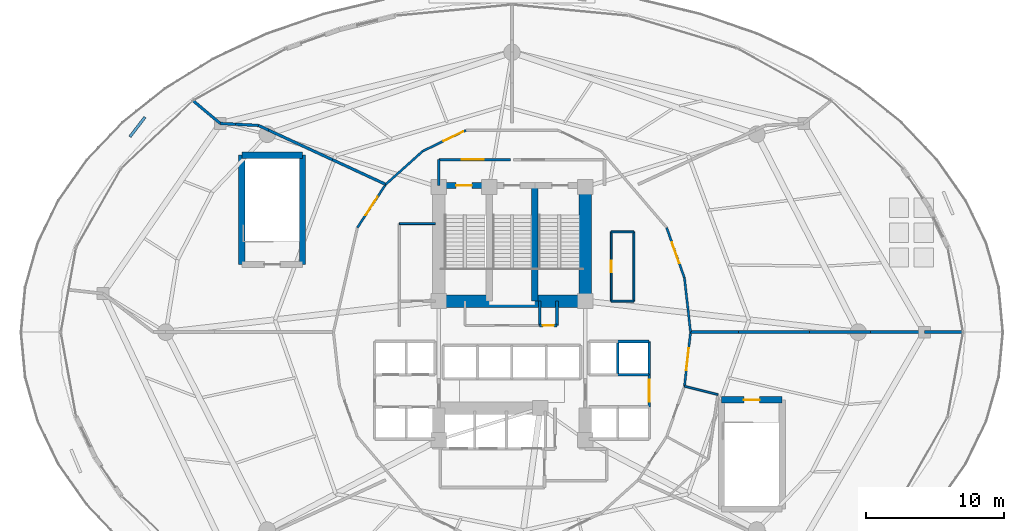
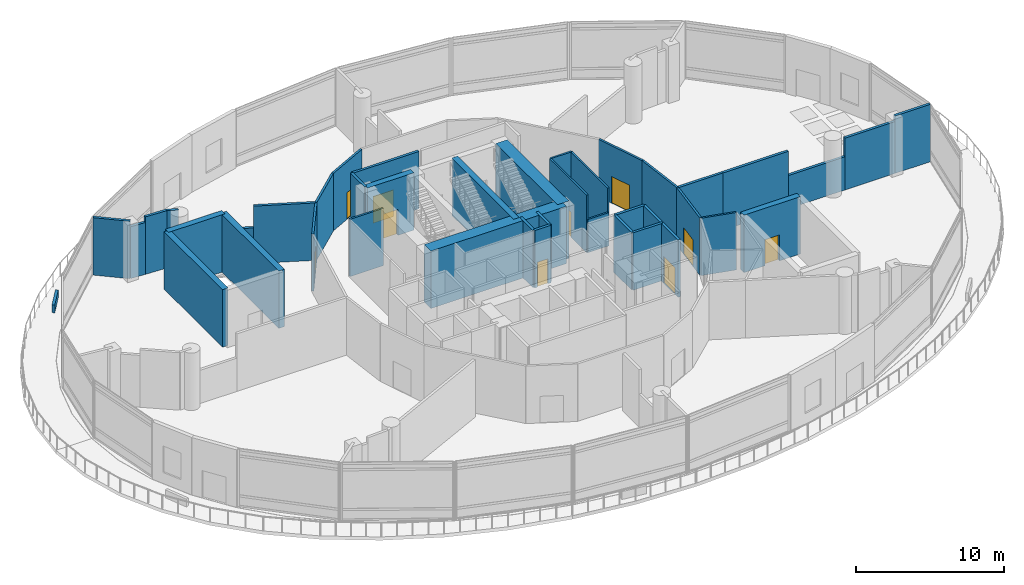
# One storey, part 28 of 34: 42 walls, 10 doors, 10 openings.
"""IFC4 building model written with IfcOpenShell, lengths in metres."""

from ifc_helpers import new_model, si_unit, direction, frame, frame_2d, origin, place, context, subcontext, project, spatial, rectangle, extrude, material, layer, layer_set, type_object, element, fill, save


model = new_model("IFC4")

# Units and contexts
model_context = context("Model", 3, precision=1e-05, world=origin(), true_north=direction((0.0, 1.0)))
body_context = subcontext(model_context, "Body", "Model", "MODEL_VIEW")
ifc_project = project(units=[si_unit("LENGTHUNIT", "METRE"), si_unit("AREAUNIT", "SQUARE_METRE"), si_unit("VOLUMEUNIT", "CUBIC_METRE"), si_unit("PLANEANGLEUNIT", "RADIAN"), si_unit("MASSUNIT", "GRAM", prefix="KILO")], contexts=[model_context])

# Site, building, storey
site_placement = place(None, origin())
site = spatial("IfcSite", under=ifc_project, at=site_placement, CompositionType="ELEMENT")
building_placement = place(site_placement, origin())
building = spatial("IfcBuilding", under=site, at=building_placement, Name="Nuhasar Tower", CompositionType="ELEMENT")
storey_placement = place(building_placement, frame((0.0, 0.0, 16.0)))
storey = spatial("IfcBuildingStorey", under=building, at=storey_placement, Name="L03", CompositionType="ELEMENT", Elevation=16.0)

# Wall, opening, door
ifc_material_1 = material(Name="Concrete C50/60", Category="concrete")
ifc_layer_1 = layer(ifc_material_1, 0.449951171875)
ifc_layer_set_1 = layer_set([ifc_layer_1], Name="Concrete C50/60")
wall_type_1 = type_object("IfcWallType", Name="WL-CORE-450", PredefinedType="SHEAR", material=ifc_layer_set_1)
wall_1_placement = place(storey_placement, frame((37.35009765625, 37.39990234375, 0.0), z_axis=(0.0, 0.0, 1.0), x_axis=(-1.0, 0.0, 0.0)))
wall_1 = element("IfcWall", 1, at=wall_1_placement, inside=storey, type_object=wall_type_1, Name="L03 Stairwell Shear Wall ST01-N", PredefinedType="SHEAR", context=body_context, shape_type="SweptSolid", body=[
    extrude(rectangle(XDim=3.650146484375, YDim=0.449951171875, at=frame_2d((1.8251953125, 0.0))), origin(), (0.0, 0.0, 1.0), 4.739990234375),
])
opening_1_placement = place(wall_1_placement, frame((1.25, 0.0, 0.0)))
opening_1 = element("IfcOpeningElement", 2, at=opening_1_placement, cuts=wall_1, Name="Opening DS-01", PredefinedType="OPENING", context=body_context, shape_type="SweptSolid", body=[
    extrude(rectangle(XDim=1.14990234375, YDim=2.14990234375, at=frame_2d((0.574951171875, 1.074951171875))), frame((0.0, 0.23486328125, 0.0), z_axis=(0.0, -1.0, 0.0), x_axis=(1.0, 0.0, 0.0)), (0.0, 0.0, 1.0), 0.469970703125),
])
ifc_material_2 = material(Name="Steel S355", Category="steel")
door_type_1 = type_object("IfcDoorType", Name="DR-STAIR-FD120-1150", OperationType="NOTDEFINED", PredefinedType="DOOR", material=ifc_material_2)
door_1_placement = place(opening_1_placement, origin())
door_1 = element("IfcDoor", 3, at=door_1_placement, inside=storey, type_object=door_type_1, Name="L03 Exit Stair ST-01 Door", OperationType="SINGLE_SWING_RIGHT", OverallHeight=2.14990234375, OverallWidth=1.14990234375, PredefinedType="DOOR", context=body_context, shape_type="SweptSolid", body=[
    extrude(rectangle(XDim=1.14990234375, YDim=2.14990234375, at=frame_2d((0.574951171875, 1.074951171875))), frame((0.0, 0.02490234375, 0.0), z_axis=(0.0, -1.0, 0.0), x_axis=(1.0, 0.0, 0.0)), (0.0, 0.0, 1.0), 0.050048828125),
])
fill(opening_1, door_1)

# Walls
wall_2_placement = place(storey_placement, frame((40.64990234375, 29.050048828125, 0.0), z_axis=(0.0, 0.0, 1.0), x_axis=(0.0, 1.0, 0.0)))
element("IfcWall", 4, at=wall_2_placement, inside=storey, type_object=wall_type_1, Name="L03 Stairwell Shear Wall ST03-E", PredefinedType="SHEAR", context=body_context, shape_type="SweptSolid", body=[
    extrude(rectangle(XDim=8.349853515625, YDim=0.449951171875, at=frame_2d((4.1748046875, 0.0))), origin(), (0.0, 0.0, 1.0), 4.739990234375),
])
wall_3_placement = place(storey_placement, frame((19.449951171875, 39.60009765625, 0.0), z_axis=(0.0, 0.0, 1.0), x_axis=(1.0, 0.0, 0.0)))
element("IfcWall", 5, at=wall_3_placement, inside=storey, type_object=wall_type_1, Name="L03 Stairwell Shear Wall ST-04-N", PredefinedType="SHEAR", context=body_context, shape_type="SweptSolid", body=[
    extrude(rectangle(XDim=4.400146484375, YDim=0.449951171875, at=frame_2d((2.2001953125, 0.0))), origin(), (0.0, 0.0, 1.0), 4.739990234375),
])
for number, where, z_axis, x_axis, name in (
    (6, (19.449951171875, 31.699951171875, 0.0), (0.0, 0.0, 1.0), (0.0, 1.0, 0.0), "L03 Stairwell Shear Wall ST-04-W"),
    (7, (23.85009765625, 31.699951171875, 0.0), (0.0, 0.0, 1.0), (0.0, 1.0, 0.0), "L03 Stairwell Shear Wall ST-04-E"),
):
    element("IfcWall", number, at=place(storey_placement, frame(where, z_axis=z_axis, x_axis=x_axis)), inside=storey, type_object=wall_type_1, Name=name, PredefinedType="SHEAR", context=body_context, shape_type="SweptSolid", body=[
        extrude(rectangle(XDim=7.900146484375, YDim=0.449951171875, at=frame_2d((3.9501953125, 0.0))), origin(), (0.0, 0.0, 1.0), 4.739990234375),
    ])

# Wall, opening, door
wall_4_placement = place(storey_placement, frame((58.550048828125, 21.89990234375, 0.0), z_axis=(0.0, 0.0, 1.0), x_axis=(-1.0, 0.0, 0.0)))
wall_4 = element("IfcWall", 8, at=wall_4_placement, inside=storey, type_object=wall_type_1, Name="L03 Stairwell Shear Wall ST-05-N", PredefinedType="SHEAR", context=body_context, shape_type="SweptSolid", body=[
    extrude(rectangle(XDim=4.400146484375, YDim=0.449951171875, at=frame_2d((2.2001953125, 0.0))), origin(), (0.0, 0.0, 1.0), 4.739990234375),
])
opening_2_placement = place(wall_4_placement, frame((1.625, 0.0, 0.0)))
opening_2 = element("IfcOpeningElement", 9, at=opening_2_placement, cuts=wall_4, Name="Opening DS-01", PredefinedType="OPENING", context=body_context, shape_type="SweptSolid", body=[
    extrude(rectangle(XDim=1.14990234375, YDim=2.14990234375, at=frame_2d((0.574951171875, 1.074951171875))), frame((0.0, 0.23486328125, 0.0), z_axis=(0.0, -1.0, 0.0), x_axis=(1.0, 0.0, 0.0)), (0.0, 0.0, 1.0), 0.469970703125),
])
door_2_placement = place(opening_2_placement, origin())
door_2 = element("IfcDoor", 10, at=door_2_placement, inside=storey, type_object=door_type_1, Name="L03 Exit Stair ST-05 Door", OperationType="SINGLE_SWING_RIGHT", OverallHeight=2.14990234375, OverallWidth=1.14990234375, PredefinedType="DOOR", context=body_context, shape_type="SweptSolid", body=[
    extrude(rectangle(XDim=1.14990234375, YDim=2.14990234375, at=frame_2d((0.574951171875, 1.074951171875))), frame((0.0, 0.02490234375, 0.0), z_axis=(0.0, -1.0, 0.0), x_axis=(1.0, 0.0, 0.0)), (0.0, 0.0, 1.0), 0.050048828125),
])
fill(opening_2, door_2)

# Walls
ifc_material_3 = material(Name="Concrete C80/95", Category="concrete")
ifc_layer_2 = layer(ifc_material_3, 0.89990234375)
ifc_layer_set_2 = layer_set([ifc_layer_2], Name="Concrete C80/95")
wall_type_2 = type_object("IfcWallType", Name="WL-CORE-900", PredefinedType="SHEAR", material=ifc_layer_set_2)
wall_5_placement = place(storey_placement, frame((44.300048828125, 29.050048828125, 0.0), z_axis=(0.0, 0.0, 1.0), x_axis=(0.0, 1.0, 0.0)))
element("IfcWall", 11, at=wall_5_placement, inside=storey, type_object=wall_type_2, Name="L03 Core Shear Wall CW-NE CW-900", PredefinedType="SHEAR", context=body_context, shape_type="SweptSolid", body=[
    extrude(rectangle(XDim=8.349853515625, YDim=0.89990234375, at=frame_2d((4.1748046875, 0.0))), origin(), (0.0, 0.0, 1.0), 4.739990234375),
])
wall_6_placement = place(storey_placement, frame((33.699951171875, 29.050048828125, 0.0), z_axis=(0.0, 0.0, 1.0), x_axis=(1.0, 0.0, 0.0)))
element("IfcWall", 12, at=wall_6_placement, inside=storey, type_object=wall_type_2, Name="L03 Core Shear Wall CW-N1 CW-900", PredefinedType="SHEAR", context=body_context, shape_type="SweptSolid", body=[
    extrude(rectangle(XDim=10.60009765625, YDim=0.89990234375, at=frame_2d((5.300048828125, 0.0))), origin(), (0.0, 0.0, 1.0), 4.739990234375),
])
ifc_material_4 = material(Name="Gypsum Board", Category="gypsum")
ifc_layer_3 = layer(ifc_material_4, 0.159912109375)
ifc_layer_set_3 = layer_set([ifc_layer_3], Name="Gypsum Board")
wall_type_3 = type_object("IfcWallType", Name="WL-CORR-160", PredefinedType="PARTITIONING", material=ifc_layer_set_3)
wall_7_placement = place(storey_placement, frame((51.919921875, 26.800048828125, 0.0), z_axis=(0.0, 0.0, 1.0), x_axis=(-0.111731247657, 0.993738460711, 0.0)))
element("IfcWall", 13, at=wall_7_placement, inside=storey, type_object=wall_type_3, Name="L03 Interior Partition CORR-00", PredefinedType="PARTITIONING", context=body_context, shape_type="SweptSolid", body=[
    extrude(rectangle(XDim=3.9375, YDim=0.159912109375, at=frame_2d((1.96875, 0.0))), origin(), (0.0, 0.0, 1.0), 4.739990234375),
])

# Wall, opening, door
wall_8_placement = place(storey_placement, frame((50.18896484375, 34.360107421875, 0.0), z_axis=(0.0, 0.0, 1.0), x_axis=(0.333684770033, -0.942684716248, 0.0)))
wall_8 = element("IfcWall", 14, at=wall_8_placement, inside=storey, type_object=wall_type_3, Name="L03 Interior Partition CORR-02", PredefinedType="PARTITIONING", context=body_context, shape_type="SweptSolid", body=[
    extrude(rectangle(XDim=3.868896484375, YDim=0.159912109375, at=frame_2d((1.9345703125, 0.0))), origin(), (0.0, 0.0, 1.0), 4.739990234375),
])
opening_3_placement = place(wall_8_placement, frame((1.134033203125, 0.0, 0.0)))
opening_3 = element("IfcOpeningElement", 15, at=opening_3_placement, cuts=wall_8, Name="Opening DC-01", PredefinedType="OPENING", context=body_context, shape_type="SweptSolid", body=[
    extrude(rectangle(XDim=1.60009765625, YDim=2.199951171875, at=frame_2d((0.800048828125, 1.10009765625))), frame((0.0, 0.08984375, 0.0), z_axis=(0.0, -1.0, 0.0), x_axis=(1.0, 0.0, 0.0)), (0.0, 0.0, 1.0), 0.179931640625),
])
door_type_2 = type_object("IfcDoorType", Name="DR-CORR-FD60-1600", OperationType="DOUBLE_DOOR_SINGLE_SWING", PredefinedType="DOOR", material=ifc_material_2)
door_3_placement = place(opening_3_placement, origin())
door_3 = element("IfcDoor", 16, at=door_3_placement, inside=storey, type_object=door_type_2, Name="L03 Hydrotherapy Spa Hall Door", OperationType="DOUBLE_DOOR_SINGLE_SWING", OverallHeight=2.199951171875, OverallWidth=1.60009765625, PredefinedType="DOOR", context=body_context, shape_type="SweptSolid", body=[
    extrude(rectangle(XDim=1.60009765625, YDim=2.199951171875, at=frame_2d((0.800048828125, 1.10009765625))), frame((0.0, 0.02490234375, 0.0), z_axis=(0.0, -1.0, 0.0), x_axis=(1.0, 0.0, 0.0)), (0.0, 0.0, 1.0), 0.050048828125),
])
fill(opening_3, door_3)

wall_9_placement = place(storey_placement, frame((32.5400390625, 39.89404296875, 0.0), z_axis=(0.0, 0.0, 1.0), x_axis=(0.899789784655, 0.436323668199, 0.0)))
wall_9 = element("IfcWall", 17, at=wall_9_placement, inside=storey, type_object=wall_type_3, Name="L03 Interior Partition CORR-14", PredefinedType="PARTITIONING", context=body_context, shape_type="SweptSolid", body=[
    extrude(rectangle(XDim=3.462890625, YDim=0.159912109375, at=frame_2d((1.7314453125, 0.0))), origin(), (0.0, 0.0, 1.0), 4.739990234375),
])
opening_4_placement = place(wall_9_placement, frame((1.6630859375, 0.0, 0.0)))
opening_4 = element("IfcOpeningElement", 18, at=opening_4_placement, cuts=wall_9, Name="Opening DC-01", PredefinedType="OPENING", context=body_context, shape_type="SweptSolid", body=[
    extrude(rectangle(XDim=1.60009765625, YDim=2.199951171875, at=frame_2d((0.800048828125, 1.10009765625))), frame((0.0, 0.08984375, 0.0), z_axis=(0.0, -1.0, 0.0), x_axis=(1.0, 0.0, 0.0)), (0.0, 0.0, 1.0), 0.179931640625),
])
door_4_placement = place(opening_4_placement, origin())
door_4 = element("IfcDoor", 19, at=door_4_placement, inside=storey, type_object=door_type_2, Name="L03 Athletic Fitness Club Door", OperationType="DOUBLE_DOOR_SINGLE_SWING", OverallHeight=2.199951171875, OverallWidth=1.60009765625, PredefinedType="DOOR", context=body_context, shape_type="SweptSolid", body=[
    extrude(rectangle(XDim=1.60009765625, YDim=2.199951171875, at=frame_2d((0.800048828125, 1.10009765625))), frame((0.0, 0.02490234375, 0.0), z_axis=(0.0, -1.0, 0.0), x_axis=(1.0, 0.0, 0.0)), (0.0, 0.0, 1.0), 0.050048828125),
])
fill(opening_4, door_4)

# Wall
wall_10_placement = place(storey_placement, frame((32.5400390625, 39.89404296875, 0.0), z_axis=(0.0, 0.0, 1.0), x_axis=(-0.744032872127, -0.668143012531, 0.0)))
element("IfcWall", 20, at=wall_10_placement, inside=storey, type_object=wall_type_3, Name="L03 Interior Partition CORR-16", PredefinedType="PARTITIONING", context=body_context, shape_type="SweptSolid", body=[
    extrude(rectangle(XDim=3.5966796875, YDim=0.159912109375, at=frame_2d((1.79833984375, 0.0))), origin(), (0.0, 0.0, 1.0), 4.739990234375),
])

# Wall, opening, door
wall_11_placement = place(storey_placement, frame((27.81103515625, 34.360107421875, 0.0), z_axis=(0.0, 0.0, 1.0), x_axis=(0.548348738977, 0.836249759619, 0.0)))
wall_11 = element("IfcWall", 21, at=wall_11_placement, inside=storey, type_object=wall_type_3, Name="L03 Interior Partition CORR-18", PredefinedType="PARTITIONING", context=body_context, shape_type="SweptSolid", body=[
    extrude(rectangle(XDim=3.743896484375, YDim=0.159912109375, at=frame_2d((1.8720703125, 0.0))), origin(), (0.0, 0.0, 1.0), 4.739990234375),
])
opening_5_placement = place(wall_11_placement, frame((1.072021484375, 0.0, 0.0)))
opening_5 = element("IfcOpeningElement", 22, at=opening_5_placement, cuts=wall_11, Name="Opening DC-01", PredefinedType="OPENING", context=body_context, shape_type="SweptSolid", body=[
    extrude(rectangle(XDim=1.60009765625, YDim=2.199951171875, at=frame_2d((0.800048828125, 1.10009765625))), frame((0.0, 0.08984375, 0.0), z_axis=(0.0, -1.0, 0.0), x_axis=(1.0, 0.0, 0.0)), (0.0, 0.0, 1.0), 0.179931640625),
])
door_5_placement = place(opening_5_placement, origin())
door_5 = element("IfcDoor", 23, at=door_5_placement, inside=storey, type_object=door_type_2, Name="L03 Pilates Studio Door", OperationType="DOUBLE_DOOR_SINGLE_SWING", OverallHeight=2.199951171875, OverallWidth=1.60009765625, PredefinedType="DOOR", context=body_context, shape_type="SweptSolid", body=[
    extrude(rectangle(XDim=1.60009765625, YDim=2.199951171875, at=frame_2d((0.800048828125, 1.10009765625))), frame((0.0, 0.02490234375, 0.0), z_axis=(0.0, -1.0, 0.0), x_axis=(1.0, 0.0, 0.0)), (0.0, 0.0, 1.0), 0.050048828125),
])
fill(opening_5, door_5)

wall_12_placement = place(storey_placement, frame((51.919921875, 26.800048828125, 0.0), z_axis=(0.0, 0.0, 1.0), x_axis=(-0.111724363671, -0.99373923469, 0.0)))
wall_12 = element("IfcWall", 24, at=wall_12_placement, inside=storey, type_object=wall_type_3, Name="L03 Interior Partition CORR-46", PredefinedType="PARTITIONING", context=body_context, shape_type="SweptSolid", body=[
    extrude(rectangle(XDim=3.937744140625, YDim=0.159912109375, at=frame_2d((1.96875, 0.0))), origin(), (0.0, 0.0, 1.0), 4.739990234375),
])
opening_6_placement = place(wall_12_placement, frame((1.1689453125, 0.0, 0.0)))
opening_6 = element("IfcOpeningElement", 25, at=opening_6_placement, cuts=wall_12, Name="Opening DC-01", PredefinedType="OPENING", context=body_context, shape_type="SweptSolid", body=[
    extrude(rectangle(XDim=1.60009765625, YDim=2.199951171875, at=frame_2d((0.800048828125, 1.10009765625))), frame((0.0, 0.08984375, 0.0), z_axis=(0.0, -1.0, 0.0), x_axis=(1.0, 0.0, 0.0)), (0.0, 0.0, 1.0), 0.179931640625),
])
door_6_placement = place(opening_6_placement, origin())
door_6 = element("IfcDoor", 26, at=door_6_placement, inside=storey, type_object=door_type_2, Name="L03 Bustan Garden Lounge Door", OperationType="DOUBLE_DOOR_SINGLE_SWING", OverallHeight=2.199951171875, OverallWidth=1.60009765625, PredefinedType="DOOR", context=body_context, shape_type="SweptSolid", body=[
    extrude(rectangle(XDim=1.60009765625, YDim=2.199951171875, at=frame_2d((0.800048828125, 1.10009765625))), frame((0.0, 0.02490234375, 0.0), z_axis=(0.0, -1.0, 0.0), x_axis=(1.0, 0.0, 0.0)), (0.0, 0.0, 1.0), 0.050048828125),
])
fill(opening_6, door_6)

# Wall
ifc_material_5 = material(Name="Concrete C45/55", Category="concrete")
ifc_layer_4 = layer(ifc_material_5, 0.199951171875)
ifc_layer_set_4 = layer_set([ifc_layer_4], Name="Concrete C45/55")
wall_type_4 = type_object("IfcWallType", Name="WL-LOBBY-200", PredefinedType="SOLIDWALL", material=ifc_layer_set_4)
wall_13_placement = place(storey_placement, frame((33.699951171875, 37.39990234375, 0.0), z_axis=(0.0, 0.0, 1.0), x_axis=(0.0, 1.0, 0.0)))
element("IfcWall", 27, at=wall_13_placement, inside=storey, type_object=wall_type_4, Name="L03 Interior Partition NSL-W", PredefinedType="SOLIDWALL", context=body_context, shape_type="SweptSolid", body=[
    extrude(rectangle(XDim=1.880126953125, YDim=0.199951171875, at=frame_2d((0.93994140625, 0.0))), origin(), (0.0, 0.0, 1.0), 4.739990234375),
])

# Wall, opening, door
wall_14_placement = place(storey_placement, frame((38.89990234375, 39.280029296875, 0.0), z_axis=(0.0, 0.0, 1.0), x_axis=(-1.0, 0.0, 0.0)))
wall_14 = element("IfcWall", 28, at=wall_14_placement, inside=storey, type_object=wall_type_4, Name="L03 Interior Partition NSL-N1", PredefinedType="SOLIDWALL", context=body_context, shape_type="SweptSolid", body=[
    extrude(rectangle(XDim=5.199951171875, YDim=0.199951171875, at=frame_2d((2.60009765625, 0.0))), origin(), (0.0, 0.0, 1.0), 4.739990234375),
])
opening_7_placement = place(wall_14_placement, frame((1.949951171875, 0.0, 0.0)))
opening_7 = element("IfcOpeningElement", 29, at=opening_7_placement, cuts=wall_14, Name="Opening DC-01", PredefinedType="OPENING", context=body_context, shape_type="SweptSolid", body=[
    extrude(rectangle(XDim=1.60009765625, YDim=2.199951171875, at=frame_2d((0.800048828125, 1.10009765625))), frame((0.0, 0.10986328125, 0.0), z_axis=(0.0, -1.0, 0.0), x_axis=(1.0, 0.0, 0.0)), (0.0, 0.0, 1.0), 0.219970703125),
])
door_7_placement = place(opening_7_placement, origin())
door_7 = element("IfcDoor", 30, at=door_7_placement, inside=storey, type_object=door_type_2, Name="L03 North Stair Lobby West Door", OperationType="DOUBLE_DOOR_SINGLE_SWING", OverallHeight=2.199951171875, OverallWidth=1.60009765625, PredefinedType="DOOR", context=body_context, shape_type="SweptSolid", body=[
    extrude(rectangle(XDim=1.60009765625, YDim=2.199951171875, at=frame_2d((0.800048828125, 1.10009765625))), frame((0.0, 0.02490234375, 0.0), z_axis=(0.0, -1.0, 0.0), x_axis=(1.0, 0.0, 0.0)), (0.0, 0.0, 1.0), 0.050048828125),
])
fill(opening_7, door_7)

wall_15_placement = place(storey_placement, frame((48.929931640625, 21.3798828125, 0.0), z_axis=(0.0, 0.0, 1.0), x_axis=(0.0, 1.0, 0.0)))
wall_15 = element("IfcWall", 31, at=wall_15_placement, inside=storey, type_object=wall_type_4, Name="L03 Interior Partition LLBM-E", PredefinedType="SOLIDWALL", context=body_context, shape_type="SweptSolid", body=[
    extrude(rectangle(XDim=2.340087890625, YDim=0.199951171875, at=frame_2d((1.169921875, 0.0))), origin(), (0.0, 0.0, 1.0), 4.739990234375),
])
opening_8_placement = place(wall_15_placement, frame((0.3701171875, 0.0, 0.0)))
opening_8 = element("IfcOpeningElement", 32, at=opening_8_placement, cuts=wall_15, Name="Opening DC-01", PredefinedType="OPENING", context=body_context, shape_type="SweptSolid", body=[
    extrude(rectangle(XDim=1.60009765625, YDim=2.199951171875, at=frame_2d((0.800048828125, 1.10009765625))), frame((0.0, 0.10986328125, 0.0), z_axis=(0.0, -1.0, 0.0), x_axis=(1.0, 0.0, 0.0)), (0.0, 0.0, 1.0), 0.219970703125),
])
door_8_placement = place(opening_8_placement, origin())
door_8 = element("IfcDoor", 33, at=door_8_placement, inside=storey, type_object=door_type_2, Name="L03 Mid-Rise Lift Lobby East Entry", OperationType="DOUBLE_DOOR_SINGLE_SWING", OverallHeight=2.199951171875, OverallWidth=1.60009765625, PredefinedType="DOOR", context=body_context, shape_type="SweptSolid", body=[
    extrude(rectangle(XDim=1.60009765625, YDim=2.199951171875, at=frame_2d((0.800048828125, 1.10009765625))), frame((0.0, 0.02490234375, 0.0), z_axis=(0.0, -1.0, 0.0), x_axis=(1.0, 0.0, 0.0)), (0.0, 0.0, 1.0), 0.050048828125),
])
fill(opening_8, door_8)

# Walls
ifc_layer_5 = layer(ifc_material_5, 0.199951171875)
ifc_layer_set_5 = layer_set([ifc_layer_5], Name="Concrete C45/55")
wall_type_5 = type_object("IfcWallType", Name="WL-PLANTER-200", PredefinedType="ELEMENTEDWALL", material=ifc_layer_set_5)
wall_16_placement = place(storey_placement, frame((11.35107421875, 40.930908203125, 0.0), z_axis=(0.0, 0.0, 1.0), x_axis=(0.608838635348, 0.793294091814, 0.0)))
element("IfcWall", 34, at=wall_16_placement, inside=storey, type_object=wall_type_5, Name="L03 Bustan Garden Planter Curb 03", PredefinedType="ELEMENTEDWALL", context=body_context, shape_type="SweptSolid", body=[
    extrude(rectangle(XDim=1.800048828125, YDim=0.199951171875, at=frame_2d((0.89990234375, 0.0))), origin(), (0.0, 0.0, 1.0), 0.64990234375),
])
ifc_layer_6 = layer(ifc_material_5, 0.199951171875)
ifc_layer_set_6 = layer_set([ifc_layer_6], Name="Concrete C45/55")
wall_type_6 = type_object("IfcWallType", Name="WL-SHAFT-200", PredefinedType="SOLIDWALL", material=ifc_layer_set_6)
for number, where, z_axis, x_axis, name in (
    (35, (41.0, 27.280029296875, 0.0), (0.0, 0.0, 1.0), (0.0, 1.0, 0.0), "L03 Interior Partition RSRN-W"),
    (36, (42.260009765625, 27.280029296875, 0.0), (0.0, 0.0, 1.0), (0.0, 1.0, 0.0), "L03 Interior Partition RSRN-E"),
):
    element("IfcWall", number, at=place(storey_placement, frame(where, z_axis=z_axis, x_axis=x_axis)), inside=storey, type_object=wall_type_6, Name=name, PredefinedType="SOLIDWALL", context=body_context, shape_type="SweptSolid", body=[
        extrude(rectangle(XDim=1.77001953125, YDim=0.199951171875, at=frame_2d((0.885009765625, 0.0))), origin(), (0.0, 0.0, 1.0), 4.739990234375),
    ])

# Wall, opening, door
wall_17_placement = place(storey_placement, frame((41.0, 27.280029296875, 0.0), z_axis=(0.0, 0.0, 1.0), x_axis=(1.0, 0.0, 0.0)))
wall_17 = element("IfcWall", 37, at=wall_17_placement, inside=storey, type_object=wall_type_6, Name="L03 Interior Partition RSRN-S", PredefinedType="SOLIDWALL", context=body_context, shape_type="SweptSolid", body=[
    extrude(rectangle(XDim=1.260009765625, YDim=0.199951171875, at=frame_2d((0.6298828125, 0.0))), origin(), (0.0, 0.0, 1.0), 4.739990234375),
])
opening_9_placement = place(wall_17_placement, frame((0.22998046875, 0.0, 0.0)))
opening_9 = element("IfcOpeningElement", 38, at=opening_9_placement, cuts=wall_17, Name="Opening DM-01", PredefinedType="OPENING", context=body_context, shape_type="SweptSolid", body=[
    extrude(rectangle(XDim=0.800048828125, YDim=2.050048828125, at=frame_2d((0.39990234375, 1.02490234375))), frame((0.0, 0.10986328125, 0.0), z_axis=(0.0, -1.0, 0.0), x_axis=(1.0, 0.0, 0.0)), (0.0, 0.0, 1.0), 0.219970703125),
])
door_type_3 = type_object("IfcDoorType", Name="DR-RISER-FD60-800", OperationType="NOTDEFINED", PredefinedType="DOOR", material=ifc_material_2)
door_9_placement = place(opening_9_placement, origin())
door_9 = element("IfcDoor", 39, at=door_9_placement, inside=storey, type_object=door_type_3, Name="L03 North Smoke Riser Door", OperationType="SINGLE_SWING_RIGHT", OverallHeight=2.050048828125, OverallWidth=0.800048828125, PredefinedType="DOOR", context=body_context, shape_type="SweptSolid", body=[
    extrude(rectangle(XDim=0.800048828125, YDim=2.050048828125, at=frame_2d((0.39990234375, 1.02490234375))), frame((0.0, 0.02490234375, 0.0), z_axis=(0.0, -1.0, 0.0), x_axis=(1.0, 0.0, 0.0)), (0.0, 0.0, 1.0), 0.050048828125),
])
fill(opening_9, door_9)

# Walls
wall_18_placement = place(storey_placement, frame((46.64990234375, 23.719970703125, 0.0), z_axis=(0.0, 0.0, 1.0), x_axis=(0.0, 1.0, 0.0)))
element("IfcWall", 40, at=wall_18_placement, inside=storey, type_object=wall_type_6, Name="L03 Interior Partition SHF-PL-M01-E", PredefinedType="SOLIDWALL", context=body_context, shape_type="SweptSolid", body=[
    extrude(rectangle(XDim=2.409912109375, YDim=0.199951171875, at=frame_2d((1.205078125, 0.0))), origin(), (0.0, 0.0, 1.0), 4.739990234375),
])
for number, where, z_axis, x_axis, name in (
    (41, (46.6201171875, 23.719970703125, 0.0), (0.0, 0.0, 1.0), (1.0, 0.0, 0.0), "L03 Interior Partition SHF-PL-M02-S"),
    (42, (46.6201171875, 26.1298828125, 0.0), (0.0, 0.0, 1.0), (1.0, 0.0, 0.0), "L03 Interior Partition SHF-PL-M02-N"),
):
    element("IfcWall", number, at=place(storey_placement, frame(where, z_axis=z_axis, x_axis=x_axis)), inside=storey, type_object=wall_type_6, Name=name, PredefinedType="SOLIDWALL", context=body_context, shape_type="SweptSolid", body=[
        extrude(rectangle(XDim=2.309814453125, YDim=0.199951171875, at=frame_2d((1.15478515625, 0.0))), origin(), (0.0, 0.0, 1.0), 4.739990234375),
    ])
wall_19_placement = place(storey_placement, frame((48.929931640625, 23.719970703125, 0.0), z_axis=(0.0, 0.0, 1.0), x_axis=(0.0, 1.0, 0.0)))
element("IfcWall", 43, at=wall_19_placement, inside=storey, type_object=wall_type_6, Name="L03 Interior Partition SHF-PL-M02-E", PredefinedType="SOLIDWALL", context=body_context, shape_type="SweptSolid", body=[
    extrude(rectangle(XDim=2.409912109375, YDim=0.199951171875, at=frame_2d((1.205078125, 0.0))), origin(), (0.0, 0.0, 1.0), 4.739990234375),
])
ifc_material_6 = material(Name="Concrete C40/50 precast", Category="concrete")
ifc_layer_7 = layer(ifc_material_6, 0.199951171875)
ifc_layer_set_7 = layer_set([ifc_layer_7], Name="Concrete C40/50 precast")
wall_type_7 = type_object("IfcWallType", Name="WL-UNIT-200", PredefinedType="PARTITIONING", material=ifc_layer_set_7)
wall_20_placement = place(storey_placement, frame((51.919921875, 26.800048828125, 0.0), z_axis=(0.0, 0.0, 1.0), x_axis=(1.0, 0.0, 0.0)))
element("IfcWall", 44, at=wall_20_placement, inside=storey, type_object=wall_type_7, Name="L03 Interior Partition PRAD-00-S1", PredefinedType="PARTITIONING", context=body_context, shape_type="SweptSolid", body=[
    extrude(rectangle(XDim=3.47998046875, YDim=0.199951171875, at=frame_2d((1.739990234375, 0.0))), origin(), (0.0, 0.0, 1.0), 4.739990234375),
])
wall_21_placement = place(storey_placement, frame((55.39990234375, 26.800048828125, 0.0), z_axis=(0.0, 0.0, 1.0), x_axis=(1.0, 0.0, 0.0)))
element("IfcWall", 45, at=wall_21_placement, inside=storey, type_object=wall_type_7, Name="L03 Interior Partition PRAD-00-S2", PredefinedType="PARTITIONING", context=body_context, shape_type="SweptSolid", body=[
    extrude(rectangle(XDim=5.1220703125, YDim=0.199951171875, at=frame_2d((2.56103515625, 0.0))), origin(), (0.0, 0.0, 1.0), 4.739990234375),
])
wall_22_placement = place(storey_placement, frame((60.52197265625, 26.800048828125, 0.0), z_axis=(0.0, 0.0, 1.0), x_axis=(1.0, 0.0, 0.0)))
element("IfcWall", 46, at=wall_22_placement, inside=storey, type_object=wall_type_7, Name="L03 Interior Partition PRAD-00-S2", PredefinedType="PARTITIONING", context=body_context, shape_type="SweptSolid", body=[
    extrude(rectangle(XDim=4.427978515625, YDim=0.199951171875, at=frame_2d((2.2138671875, 0.0))), origin(), (0.0, 0.0, 1.0), 2.739990234375),
])
wall_23_placement = place(storey_placement, frame((64.949951171875, 26.800048828125, 0.0), z_axis=(0.0, 0.0, 1.0), x_axis=(1.0, 0.0, 0.0)))
element("IfcWall", 47, at=wall_23_placement, inside=storey, type_object=wall_type_7, Name="L03 Interior Partition PRAD-00-S3", PredefinedType="PARTITIONING", context=body_context, shape_type="SweptSolid", body=[
    extrude(rectangle(XDim=3.900146484375, YDim=0.199951171875, at=frame_2d((1.9501953125, 0.0))), origin(), (0.0, 0.0, 1.0), 4.280029296875),
])
wall_24_placement = place(storey_placement, frame((68.85009765625, 26.800048828125, 0.0), z_axis=(0.0, 0.0, 1.0), x_axis=(1.0, 0.0, 0.0)))
element("IfcWall", 48, at=wall_24_placement, inside=storey, type_object=wall_type_7, Name="L03 Interior Partition PRAD-00-S4", PredefinedType="PARTITIONING", context=body_context, shape_type="SweptSolid", body=[
    extrude(rectangle(XDim=2.7548828125, YDim=0.199951171875, at=frame_2d((1.37744140625, 0.0))), origin(), (0.0, 0.0, 1.0), 4.739990234375),
])
wall_25_placement = place(storey_placement, frame((29.864013671875, 37.490966796875, 0.0), z_axis=(0.0, 0.0, 1.0), x_axis=(-0.907543218971, 0.419958695231, 0.0)))
element("IfcWall", 49, at=wall_25_placement, inside=storey, type_object=wall_type_7, Name="L03 Interior Partition PRAD-18-S1", PredefinedType="PARTITIONING", context=body_context, shape_type="SweptSolid", body=[
    extrude(rectangle(XDim=4.24560546875, YDim=0.199951171875, at=frame_2d((2.122802734375, 0.0))), origin(), (0.0, 0.0, 1.0), 4.739990234375),
])
wall_26_placement = place(storey_placement, frame((26.010986328125, 39.27392578125, 0.0), z_axis=(0.0, 0.0, 1.0), x_axis=(-0.907468259345, 0.420120647293, 0.0)))
element("IfcWall", 50, at=wall_26_placement, inside=storey, type_object=wall_type_7, Name="L03 Interior Partition PRAD-18-S1", PredefinedType="PARTITIONING", context=body_context, shape_type="SweptSolid", body=[
    extrude(rectangle(XDim=5.0986328125, YDim=0.199951171875, at=frame_2d((2.54931640625, 0.0))), origin(), (0.0, 0.0, 1.0), 2.93994140625),
])
wall_27_placement = place(storey_placement, frame((21.384033203125, 41.416015625, 0.0), z_axis=(0.0, 0.0, 1.0), x_axis=(-0.907729224474, 0.419556498025, 0.0)))
element("IfcWall", 51, at=wall_27_placement, inside=storey, type_object=wall_type_7, Name="L03 Interior Partition PRAD-18-S1", PredefinedType="PARTITIONING", context=body_context, shape_type="SweptSolid", body=[
    extrude(rectangle(XDim=0.8076171875, YDim=0.199951171875, at=frame_2d((0.40380859375, 0.0))), origin(), (0.0, 0.0, 1.0), 4.739990234375),
])
wall_28_placement = place(storey_placement, frame((20.65087890625, 41.7548828125, 0.0), z_axis=(0.0, 0.0, 1.0), x_axis=(-0.998685128887, 0.051264152576, 0.0)))
element("IfcWall", 52, at=wall_28_placement, inside=storey, type_object=wall_type_7, Name="L03 Interior Partition PRAD-18-S2", PredefinedType="PARTITIONING", context=body_context, shape_type="SweptSolid", body=[
    extrude(rectangle(XDim=1.64306640625, YDim=0.199951171875, at=frame_2d((0.821533203125, 0.0))), origin(), (0.0, 0.0, 1.0), 4.739990234375),
])
wall_29_placement = place(storey_placement, frame((19.010009765625, 41.839111328125, 0.0), z_axis=(0.0, 0.0, 1.0), x_axis=(-0.998660904733, 0.051733909163, 0.0)))
element("IfcWall", 53, at=wall_29_placement, inside=storey, type_object=wall_type_7, Name="L03 Interior Partition PRAD-18-S2", PredefinedType="PARTITIONING", context=body_context, shape_type="SweptSolid", body=[
    extrude(rectangle(XDim=1.118408203125, YDim=0.199951171875, at=frame_2d((0.55908203125, 0.0))), origin(), (0.0, 0.0, 1.0), 4.280029296875),
])
wall_30_placement = place(storey_placement, frame((17.89306640625, 41.89697265625, 0.0), z_axis=(0.0, 0.0, 1.0), x_axis=(-0.766903980595, 0.641761859686, 0.0)))
element("IfcWall", 54, at=wall_30_placement, inside=storey, type_object=wall_type_7, Name="L03 Interior Partition PRAD-18-S3", PredefinedType="PARTITIONING", context=body_context, shape_type="SweptSolid", body=[
    extrude(rectangle(XDim=2.5400390625, YDim=0.199951171875, at=frame_2d((1.27001953125, 0.0))), origin(), (0.0, 0.0, 1.0), 4.739990234375),
])
ifc_layer_8 = layer(ifc_material_6, 0.139892578125)
ifc_layer_set_8 = layer_set([ifc_layer_8], Name="Concrete C40/50 precast")
wall_type_8 = type_object("IfcWallType", Name="WL-WET-140", PredefinedType="PARTITIONING", material=ifc_layer_set_8)
wall_31_placement = place(storey_placement, frame((30.85009765625, 34.64990234375, 0.0), z_axis=(0.0, 0.0, 1.0), x_axis=(1.0, 0.0, 0.0)))
element("IfcWall", 55, at=wall_31_placement, inside=storey, type_object=wall_type_8, Name="L03 Interior Partition K3-NW-N", PredefinedType="PARTITIONING", context=body_context, shape_type="SweptSolid", body=[
    extrude(rectangle(XDim=2.599853515625, YDim=0.139892578125, at=frame_2d((1.2998046875, 0.0))), origin(), (0.0, 0.0, 1.0), 4.739990234375),
])

# Wall, opening, door
wall_32_placement = place(storey_placement, frame((46.179931640625, 34.050048828125, 0.0), z_axis=(0.0, 0.0, 1.0), x_axis=(0.0, -1.0, 0.0)))
wall_32 = element("IfcWall", 56, at=wall_32_placement, inside=storey, type_object=wall_type_8, Name="L03 Interior Partition K3-NE-W", PredefinedType="PARTITIONING", context=body_context, shape_type="SweptSolid", body=[
    extrude(rectangle(XDim=5.0, YDim=0.139892578125, at=frame_2d((2.5, 0.0))), origin(), (0.0, 0.0, 1.0), 4.739990234375),
])
opening_10_placement = place(wall_32_placement, frame((2.10009765625, 0.0, 0.0)))
opening_10 = element("IfcOpeningElement", 57, at=opening_10_placement, cuts=wall_32, Name="Opening DM-01", PredefinedType="OPENING", context=body_context, shape_type="SweptSolid", body=[
    extrude(rectangle(XDim=0.800048828125, YDim=2.050048828125, at=frame_2d((0.39990234375, 1.02490234375))), frame((0.0, 0.080078125, 0.0), z_axis=(0.0, -1.0, 0.0), x_axis=(1.0, 0.0, 0.0)), (0.0, 0.0, 1.0), 0.159912109375),
])
door_10_placement = place(opening_10_placement, origin())
door_10 = element("IfcDoor", 58, at=door_10_placement, inside=storey, type_object=door_type_3, Name="L03 NE Switchgear Room Door", OperationType="SINGLE_SWING_LEFT", OverallHeight=2.050048828125, OverallWidth=0.800048828125, PredefinedType="DOOR", context=body_context, shape_type="SweptSolid", body=[
    extrude(rectangle(XDim=0.800048828125, YDim=2.050048828125, at=frame_2d((0.39990234375, 1.02490234375))), frame((0.0, 0.02490234375, 0.0), z_axis=(0.0, -1.0, 0.0), x_axis=(1.0, 0.0, 0.0)), (0.0, 0.0, 1.0), 0.050048828125),
])
fill(opening_10, door_10)

# Walls
wall_33_placement = place(storey_placement, frame((46.179931640625, 29.050048828125, 0.0), z_axis=(0.0, 0.0, 1.0), x_axis=(1.0, 0.0, 0.0)))
element("IfcWall", 59, at=wall_33_placement, inside=storey, type_object=wall_type_8, Name="L03 Interior Partition K3-NE-S", PredefinedType="PARTITIONING", context=body_context, shape_type="SweptSolid", body=[
    extrude(rectangle(XDim=1.64013671875, YDim=0.139892578125, at=frame_2d((0.820068359375, 0.0))), origin(), (0.0, 0.0, 1.0), 2.739990234375),
])
wall_34_placement = place(storey_placement, frame((46.179931640625, 34.050048828125, 0.0), z_axis=(0.0, 0.0, 1.0), x_axis=(1.0, 0.0, 0.0)))
element("IfcWall", 60, at=wall_34_placement, inside=storey, type_object=wall_type_8, Name="L03 Interior Partition K3-NE-N", PredefinedType="PARTITIONING", context=body_context, shape_type="SweptSolid", body=[
    extrude(rectangle(XDim=1.64013671875, YDim=0.139892578125, at=frame_2d((0.820068359375, 0.0))), origin(), (0.0, 0.0, 1.0), 4.739990234375),
])
wall_35_placement = place(storey_placement, frame((47.820068359375, 29.050048828125, 0.0), z_axis=(0.0, 0.0, 1.0), x_axis=(0.0, 1.0, 0.0)))
element("IfcWall", 61, at=wall_35_placement, inside=storey, type_object=wall_type_8, Name="L03 Interior Partition K3-NE-E", PredefinedType="PARTITIONING", context=body_context, shape_type="SweptSolid", body=[
    extrude(rectangle(XDim=5.0, YDim=0.139892578125, at=frame_2d((2.5, 0.0))), origin(), (0.0, 0.0, 1.0), 4.739990234375),
])
wall_36_placement = place(storey_placement, frame((51.47998046875, 22.886962890625, 0.0), z_axis=(0.0, 0.0, 1.0), x_axis=(0.969564374521, -0.244836524357, 0.0)))
element("IfcWall", 62, at=wall_36_placement, inside=storey, type_object=wall_type_8, Name="L03 Interior Partition PWC-DIV2", PredefinedType="PARTITIONING", context=body_context, shape_type="SweptSolid", body=[
    extrude(rectangle(XDim=2.495849609375, YDim=0.139892578125, at=frame_2d((1.248046875, 0.0))), origin(), (0.0, 0.0, 1.0), 4.739990234375),
])

save(model, "model.ifc")
